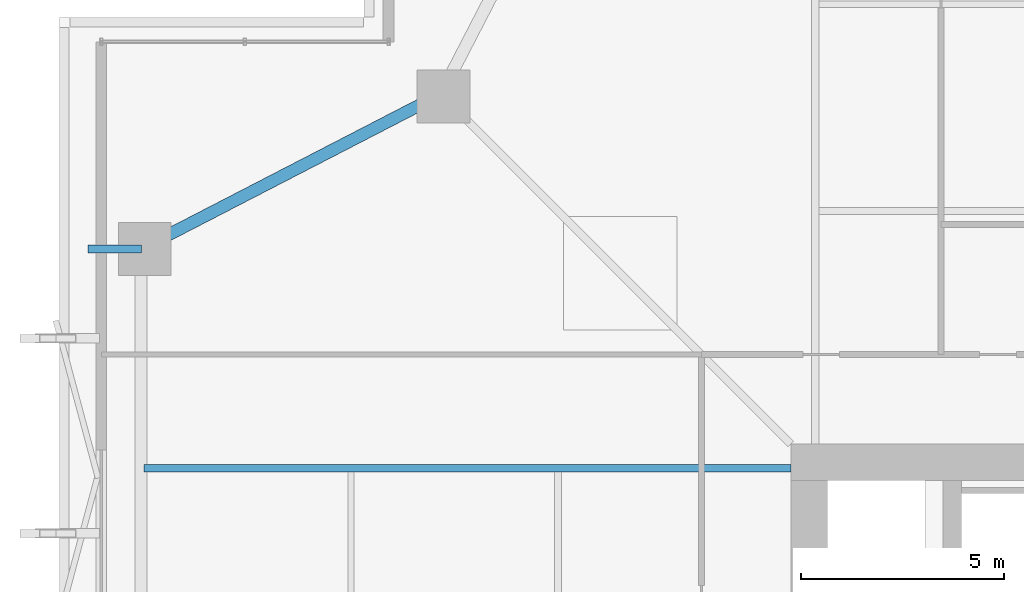
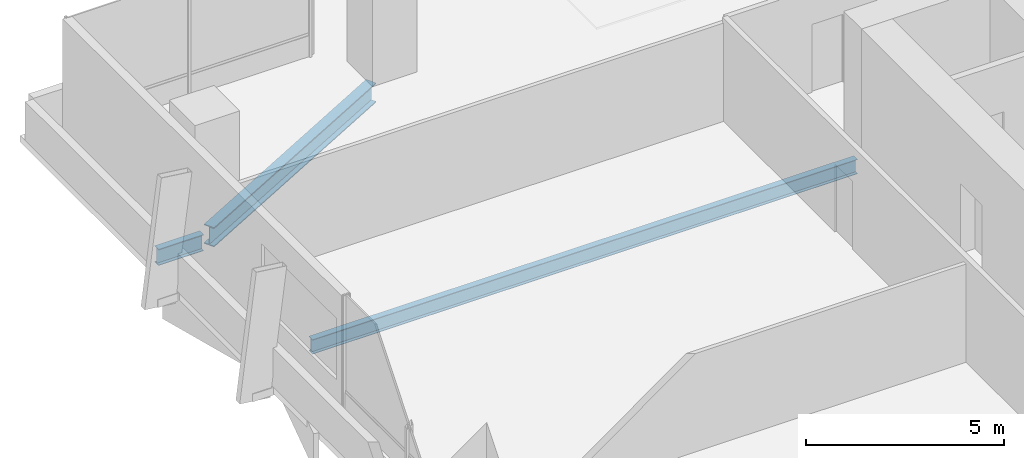
# One storey, part 18 of 34: 3 beams.
"""IFC4 building model written with IfcOpenShell, lengths in metres."""

from ifc_helpers import new_model, si_unit, direction, frame, origin, origin_2d, place, context, subcontext, project, spatial, i_section, extrude, material, material_profile, profile_set, type_object, element, save


model = new_model("IFC4")

# Units and contexts
model_context = context("Model", 3, precision=1e-05, world=origin(), true_north=direction((0.0, 1.0)))
body_context = subcontext(model_context, "Body", "Model", "MODEL_VIEW")
ifc_project = project(units=[si_unit("LENGTHUNIT", "METRE"), si_unit("AREAUNIT", "SQUARE_METRE"), si_unit("VOLUMEUNIT", "CUBIC_METRE"), si_unit("PLANEANGLEUNIT", "RADIAN"), si_unit("MASSUNIT", "GRAM", prefix="KILO")], contexts=[model_context])

# Site, building, storey
site_placement = place(None, origin())
site = spatial("IfcSite", under=ifc_project, at=site_placement, CompositionType="ELEMENT")
building_placement = place(site_placement, origin())
building = spatial("IfcBuilding", under=site, at=building_placement, Name="Belovzor Exchange Tower", CompositionType="ELEMENT")
storey_placement = place(building_placement, frame((0.0, 0.0, 113.39990234375)))
storey = spatial("IfcBuildingStorey", under=building, at=storey_placement, Name="L27", CompositionType="ELEMENT", Elevation=113.39990234375)

# Beams
ifc_material_1 = material(Name="Steel S355", Category="steel")
ifc_material_profile_1 = material_profile(ifc_material_1, i_section(OverallWidth=0.199951171875, OverallDepth=0.5, WebThickness=0.01025390625, FlangeThickness=0.01611328125, at=origin_2d()))
ifc_profile_set_1 = profile_set([ifc_material_profile_1], Name="Steel S355")
beam_type_1 = type_object("IfcBeamType", Name="Planted Balcony Cantilever Beam IPE 500", PredefinedType="BEAM", material=ifc_profile_set_1)
beam_1_placement = place(storey_placement, frame((3.81689453125, 42.60009765625, -0.5), z_axis=(-1.0, 0.0, 0.0), x_axis=(0.0, -1.0, 0.0)))
element("IfcBeam", 1, at=beam_1_placement, inside=storey, type_object=beam_type_1, Name="BC-500 Planted Balcony Cantilever Beam IPE 500", PredefinedType="BEAM", context=body_context, shape_type="SweptSolid", body=[
    extrude(i_section(OverallWidth=0.199951171875, OverallDepth=0.5, WebThickness=0.01025390625, FlangeThickness=0.01611328125, at=origin_2d()), origin(), (0.0, 0.0, 1.0), 1.31689453125),
])
ifc_material_2 = material(Name="Steel S355", Category="steel")
ifc_material_profile_2 = material_profile(ifc_material_2, i_section(OverallWidth=0.300048828125, OverallDepth=0.60009765625, WebThickness=0.015380859375, FlangeThickness=0.030029296875, at=origin_2d()))
ifc_profile_set_2 = profile_set([ifc_material_profile_2], Name="Steel S355")
beam_type_2 = type_object("IfcBeamType", Name="Zone 2 Primary Perimeter Girder HEB 600", PredefinedType="BEAM", material=ifc_profile_set_2)
beam_2_placement = place(storey_placement, frame((10.87109375, 46.2470703125, -0.5498046875), z_axis=(-0.888523812921, -0.458830506694, 0.0), x_axis=(0.458830506694, -0.888523812921, 0.0)))
element("IfcBeam", 2, at=beam_2_placement, inside=storey, type_object=beam_type_2, Name="FG-Z2 Zone 2 Primary Perimeter Girder HEB 600", PredefinedType="BEAM", context=body_context, shape_type="SweptSolid", body=[
    extrude(i_section(OverallWidth=0.300048828125, OverallDepth=0.60009765625, WebThickness=0.015380859375, FlangeThickness=0.030029296875, at=origin_2d()), origin(), (0.0, 0.0, 1.0), 7.59130859375),
])
ifc_material_3 = material(Name="Steel S355", Category="steel")
ifc_material_profile_3 = material_profile(ifc_material_3, i_section(OverallWidth=0.18994140625, OverallDepth=0.449951171875, WebThickness=0.009521484375, FlangeThickness=0.0146484375, at=origin_2d()))
ifc_profile_set_3 = profile_set([ifc_material_profile_3], Name="Steel S355")
beam_type_3 = type_object("IfcBeamType", Name="Zone 2-4 Radial Composite Floor Beam IPE 450", PredefinedType="BEAM", material=ifc_profile_set_3)
beam_3_placement = place(storey_placement, frame((19.800048828125, 37.199951171875, -0.474853515625), z_axis=(-1.0, 0.0, 0.0), x_axis=(0.0, -1.0, 0.0)))
element("IfcBeam", 3, at=beam_3_placement, inside=storey, type_object=beam_type_3, Name="FB-450 Zone 2-4 Radial Composite Floor Beam IPE 450", PredefinedType="BEAM", context=body_context, shape_type="SweptSolid", body=[
    extrude(i_section(OverallWidth=0.18994140625, OverallDepth=0.449951171875, WebThickness=0.009521484375, FlangeThickness=0.0146484375, at=origin_2d()), origin(), (0.0, 0.0, 1.0), 15.9169921875),
])

save(model, "model.ifc")
